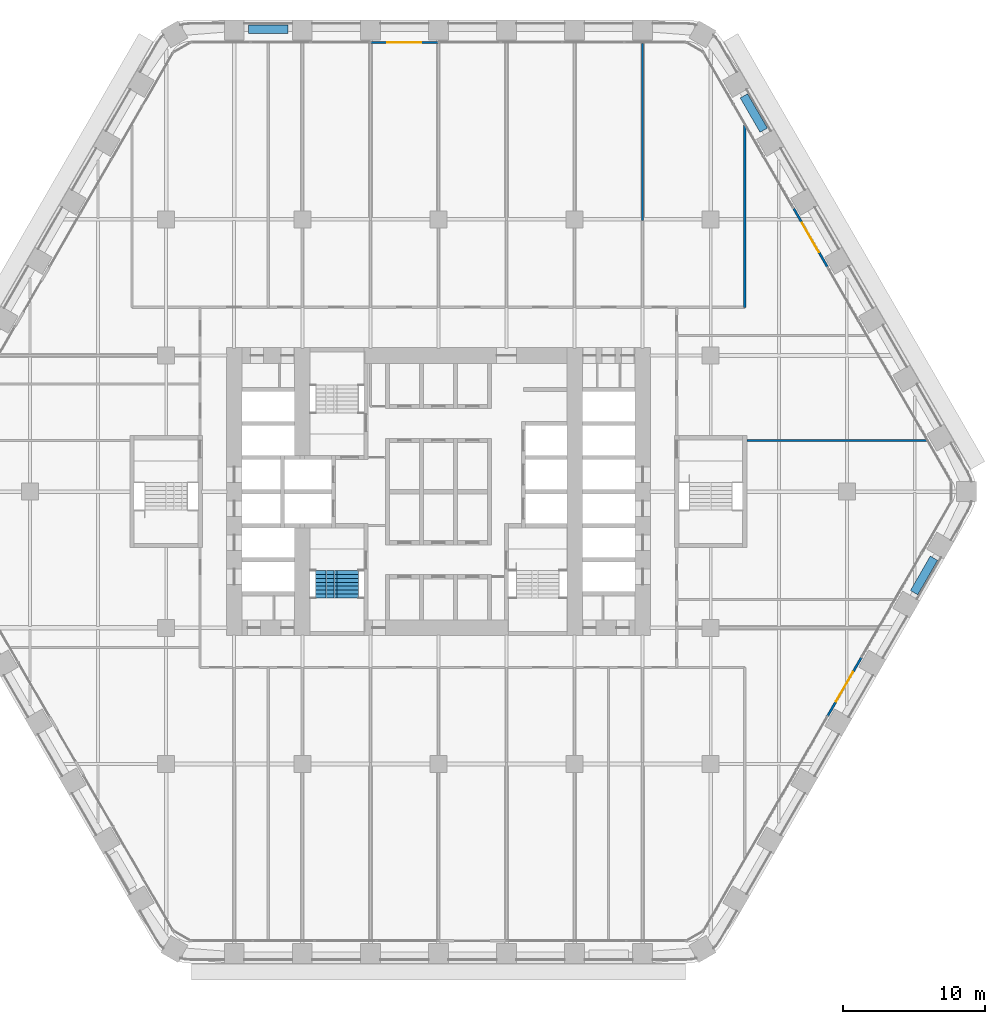
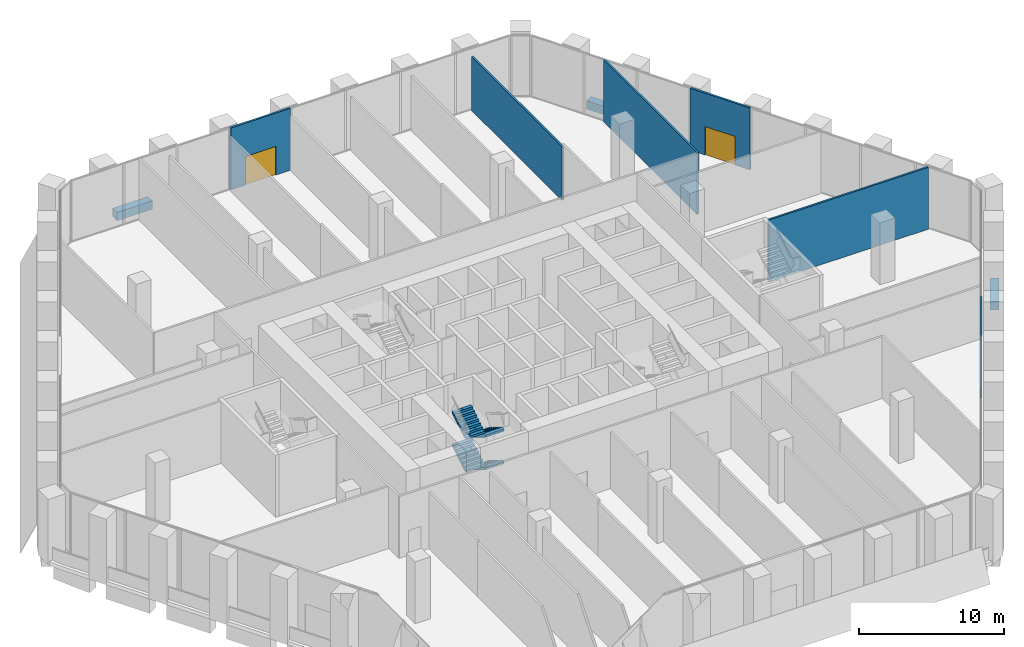
# One storey, part 22 of 27: 9 walls, 4 stair flights, 3 doors, 3 openings, 1 element without a shape of its own.
"""IFC4 building model written with IfcOpenShell, lengths in metres."""

from ifc_helpers import new_model, si_unit, direction, frame, frame_2d, origin, place, context, subcontext, project, spatial, polyline, rectangle, outline, extrude, material, layer, layer_set, type_object, element, fill, aggregate, save


model = new_model("IFC4")

# Units and contexts
model_context = context("Model", 3, precision=1e-05, world=origin(), true_north=direction((0.0, 1.0)))
body_context = subcontext(model_context, "Body", "Model", "MODEL_VIEW")
ifc_project = project(units=[si_unit("LENGTHUNIT", "METRE"), si_unit("AREAUNIT", "SQUARE_METRE"), si_unit("VOLUMEUNIT", "CUBIC_METRE"), si_unit("PLANEANGLEUNIT", "RADIAN"), si_unit("MASSUNIT", "GRAM", prefix="KILO")], contexts=[model_context])

# Site, building, storey
site_placement = place(None, origin())
site = spatial("IfcSite", under=ifc_project, at=site_placement, CompositionType="ELEMENT")
building_placement = place(site_placement, origin())
building = spatial("IfcBuilding", under=site, at=building_placement, Name="Kolab Exchange Tower", CompositionType="ELEMENT")
storey_placement = place(building_placement, frame((0.0, 0.0, 66.39990234375)))
storey = spatial("IfcBuildingStorey", under=building, at=storey_placement, Name="L12", CompositionType="ELEMENT", Elevation=66.39990234375)

# Wall, opening, door
ifc_material_1 = material(Name="Aluminium EN AW-6063 T6", Category="aluminium")
ifc_layer_1 = layer(ifc_material_1, 0.159912109375)
ifc_layer_set_1 = layer_set([ifc_layer_1], Name="Aluminium EN AW-6063 T6")
wall_type_1 = type_object("IfcWallType", Name="DOOR SURROUND WALL 160 ALUMINIUM FRAMED", PredefinedType="PARTITIONING", material=ifc_layer_set_1)
wall_1_placement = place(storey_placement, frame((-4.77001953125, 31.67529296875, 0.0), z_axis=(0.0, 0.0, 1.0), x_axis=(1.0, 0.0, 0.0)))
wall_1 = element("IfcWall", 1, at=wall_1_placement, inside=storey, type_object=wall_type_1, Name="Door surround wall", PredefinedType="PARTITIONING", context=body_context, shape_type="SweptSolid", body=[
    extrude(rectangle(XDim=4.739990234375, YDim=0.159912109375, at=frame_2d((2.3701171875, 0.0))), origin(), (0.0, 0.0, 1.0), 5.2001953125),
])
opening_1_placement = place(wall_1_placement, frame((1.169921875, 0.0, 0.0)))
opening_1 = element("IfcOpeningElement", 2, at=opening_1_placement, cuts=wall_1, Name="Opening GD1-023", PredefinedType="OPENING", context=body_context, shape_type="SweptSolid", body=[
    extrude(rectangle(XDim=2.39990234375, YDim=2.39990234375, at=frame_2d((1.199951171875, 1.199951171875))), frame((0.0, 0.08984375, 0.0), z_axis=(0.0, -1.0, 0.0), x_axis=(1.0, 0.0, 0.0)), (0.0, 0.0, 1.0), 0.179931640625),
])
door_type = type_object("IfcDoorType", Name="LOGGIA SLIDING GLASS DOOR 2400 X 2400", OperationType="DOUBLE_DOOR_SINGLE_SWING", PredefinedType="DOOR", material=ifc_material_1)
door_1_placement = place(opening_1_placement, origin())
door_1 = element("IfcDoor", 3, at=door_1_placement, inside=storey, type_object=door_type, Name="Loggia door", OperationType="DOUBLE_DOOR_SLIDING", OverallHeight=2.39990234375, OverallWidth=2.39990234375, PredefinedType="DOOR", context=body_context, shape_type="SweptSolid", body=[
    extrude(rectangle(XDim=2.39990234375, YDim=2.39990234375, at=frame_2d((1.199951171875, 1.199951171875))), frame((0.0, 0.02490234375, 0.0), z_axis=(0.0, -1.0, 0.0), x_axis=(1.0, 0.0, 0.0)), (0.0, 0.0, 1.0), 0.050048828125),
])
fill(opening_1, door_1)

wall_2_placement = place(storey_placement, frame((25.046630859375, 19.96875, 0.0), z_axis=(0.0, 0.0, 1.0), x_axis=(0.5000167099, -0.866015756104, 0.0)))
wall_2 = element("IfcWall", 4, at=wall_2_placement, inside=storey, type_object=wall_type_1, Name="Door surround wall", PredefinedType="PARTITIONING", context=body_context, shape_type="SweptSolid", body=[
    extrude(rectangle(XDim=4.739990234375, YDim=0.159912109375, at=frame_2d((2.3701171875, 0.0))), origin(), (0.0, 0.0, 1.0), 5.2001953125),
])
opening_2_placement = place(wall_2_placement, frame((1.169921875, 0.0, 0.0)))
opening_2 = element("IfcOpeningElement", 5, at=opening_2_placement, cuts=wall_2, Name="Opening GD1-024", PredefinedType="OPENING", context=body_context, shape_type="SweptSolid", body=[
    extrude(rectangle(XDim=2.39990234375, YDim=2.39990234375, at=frame_2d((1.199951171875, 1.199951171875))), frame((0.0, 0.08984375, 0.0), z_axis=(0.0, -1.0, 0.0), x_axis=(1.0, 0.0, 0.0)), (0.0, 0.0, 1.0), 0.179931640625),
])
door_2_placement = place(opening_2_placement, origin())
door_2 = element("IfcDoor", 6, at=door_2_placement, inside=storey, type_object=door_type, Name="Loggia door", OperationType="DOUBLE_DOOR_SLIDING", OverallHeight=2.39990234375, OverallWidth=2.39990234375, PredefinedType="DOOR", context=body_context, shape_type="SweptSolid", body=[
    extrude(rectangle(XDim=2.39990234375, YDim=2.39990234375, at=frame_2d((1.199951171875, 1.199951171875))), frame((0.0, 0.02490234375, 0.0), z_axis=(0.0, -1.0, 0.0), x_axis=(1.0, 0.0, 0.0)), (0.0, 0.0, 1.0), 0.050048828125),
])
fill(opening_2, door_2)

wall_3_placement = place(storey_placement, frame((29.816650390625, -11.706787109375, 0.0), z_axis=(0.0, 0.0, 1.0), x_axis=(-0.499978080042, -0.866038058908, 0.0)))
wall_3 = element("IfcWall", 7, at=wall_3_placement, inside=storey, type_object=wall_type_1, Name="Door surround wall", PredefinedType="PARTITIONING", context=body_context, shape_type="SweptSolid", body=[
    extrude(rectangle(XDim=4.739990234375, YDim=0.159912109375, at=frame_2d((2.3701171875, 0.0))), origin(), (0.0, 0.0, 1.0), 5.2001953125),
])
opening_3_placement = place(wall_3_placement, frame((1.169921875, 0.0, 0.0)))
opening_3 = element("IfcOpeningElement", 8, at=opening_3_placement, cuts=wall_3, Name="Opening GD1-025", PredefinedType="OPENING", context=body_context, shape_type="SweptSolid", body=[
    extrude(rectangle(XDim=2.39990234375, YDim=2.39990234375, at=frame_2d((1.199951171875, 1.199951171875))), frame((0.0, 0.08984375, 0.0), z_axis=(0.0, -1.0, 0.0), x_axis=(1.0, 0.0, 0.0)), (0.0, 0.0, 1.0), 0.179931640625),
])
door_3_placement = place(opening_3_placement, origin())
door_3 = element("IfcDoor", 9, at=door_3_placement, inside=storey, type_object=door_type, Name="Loggia door", OperationType="DOUBLE_DOOR_SLIDING", OverallHeight=2.39990234375, OverallWidth=2.39990234375, PredefinedType="DOOR", context=body_context, shape_type="SweptSolid", body=[
    extrude(rectangle(XDim=2.39990234375, YDim=2.39990234375, at=frame_2d((1.199951171875, 1.199951171875))), frame((0.0, 0.02490234375, 0.0), z_axis=(0.0, -1.0, 0.0), x_axis=(1.0, 0.0, 0.0)), (0.0, 0.0, 1.0), 0.050048828125),
])
fill(opening_3, door_3)

# Walls
ifc_material_2 = material(Name="Gypsum board", Category="gypsum")
ifc_layer_2 = layer(ifc_material_2, 0.14990234375)
ifc_layer_set_2 = layer_set([ifc_layer_2], Name="Gypsum board")
wall_type_2 = type_object("IfcWallType", Name="PARTITION 150 FIRE-RATED", PredefinedType="PARTITIONING", material=ifc_layer_set_2)
wall_4_placement = place(storey_placement, frame((21.60009765625, 13.0, 0.0), z_axis=(0.0, 0.0, 1.0), x_axis=(0.0, 1.0, 0.0)))
element("IfcWall", 10, at=wall_4_placement, inside=storey, type_object=wall_type_2, Name="Partition 001", PredefinedType="PARTITIONING", context=body_context, shape_type="SweptSolid", body=[
    extrude(rectangle(XDim=12.8583984375, YDim=0.14990234375, at=frame_2d((6.42919921875, 0.0))), origin(), (0.0, 0.0, 1.0), 5.2001953125),
])
wall_5_placement = place(storey_placement, frame((14.39990234375, 19.113037109375, 0.0), z_axis=(0.0, 0.0, 1.0), x_axis=(0.0, 1.0, 0.0)))
element("IfcWall", 11, at=wall_5_placement, inside=storey, type_object=wall_type_2, Name="Partition 005", PredefinedType="PARTITIONING", context=body_context, shape_type="SweptSolid", body=[
    extrude(rectangle(XDim=12.472412109375, YDim=0.14990234375, at=frame_2d((6.236328125, 0.0))), origin(), (0.0, 0.0, 1.0), 4.51611328125),
])
wall_6_placement = place(storey_placement, frame((21.75, 3.60009765625, 0.0), z_axis=(0.0, 0.0, 1.0), x_axis=(1.0, 0.0, 0.0)))
element("IfcWall", 12, at=wall_6_placement, inside=storey, type_object=wall_type_2, Name="Partition 042", PredefinedType="PARTITIONING", context=body_context, shape_type="SweptSolid", body=[
    extrude(rectangle(XDim=12.700927734375, YDim=0.14990234375, at=frame_2d((6.3505859375, 0.0))), origin(), (0.0, 0.0, 1.0), 5.2001953125),
])
ifc_material_3 = material(Name="Granite facing", Category="masonry")
ifc_layer_3 = layer(ifc_material_3, 0.0400390625)
ifc_material_4 = material(Name="Concrete C40/50 precast", Category="concrete")
ifc_layer_4 = layer(ifc_material_4, 0.56005859375)
ifc_layer_set_3 = layer_set([ifc_layer_3, ifc_layer_4], Name="Concrete C40/50 precast")
wall_type_3 = type_object("IfcWallType", Name="PLANTER BOX 600 X 700 SOIL DEPTH 550", PredefinedType="USERDEFINED", material=ifc_layer_set_3)
for number, where, z_axis, x_axis, name in (
    (13, (-13.39990234375, 32.60546875, 0.0), (0.0, 0.0, 1.0), (1.0, 0.0, 0.0), "Planter"),
    (14, (21.537109375, 27.907470703125, 0.0), (0.0, 0.0, 1.0), (0.49998411664, -0.866034573852, 0.0), "Planter"),
    (15, (34.93701171875, -4.697998046875, 0.0), (0.0, 0.0, 1.0), (-0.49998411664, -0.866034573852, 0.0), "Planter"),
):
    element("IfcWall", number, at=place(storey_placement, frame(where, z_axis=z_axis, x_axis=x_axis)), inside=storey, type_object=wall_type_3, Name=name, ObjectType="PLANTER", PredefinedType="USERDEFINED", context=body_context, shape_type="SweptSolid", body=[
        extrude(rectangle(XDim=2.7998046875, YDim=0.60009765625, at=frame_2d((1.39990234375, 0.0))), origin(), (0.0, 0.0, 1.0), 0.7001953125),
    ])

# Stair, stair flights
ifc_material_5 = material(Name="Concrete C50/60", Category="concrete")
stair_type = type_object("IfcStairType", Name="STAIR ST3 RISER 171.9", PredefinedType="DOUBLE_RETURN_STAIR", material=ifc_material_5)
stair_placement = place(storey_placement, origin())
stair = element("IfcStair", 16, at=stair_placement, inside=storey, type_object=stair_type, Name="Stair 3", PredefinedType="DOUBLE_RETURN_STAIR")
stair_flight_type = type_object("IfcStairFlightType", Name="STAIR FLIGHT 1500 RISER 171.9", PredefinedType="STRAIGHT", material=ifc_material_5)
stair_flight_1_placement = place(storey_placement, frame((-6.389892578125, -5.550048828125, 0.0), z_axis=(0.0, 0.0, 1.0), x_axis=(0.0, -1.0, 0.0)))
stair_flight_1 = element("IfcStairFlight", 17, at=stair_flight_1_placement, type_object=stair_flight_type, Name="ST3 flight 1", NumberOfRisers=8, NumberOfTreads=7, PredefinedType="STRAIGHT", RiserHeight=0.171875, TreadLength=0.28, context=body_context, shape_type="SweptSolid", body=[
    extrude(outline(polyline([(0.0, 0.0), (0.0, 0.171875), (0.280029296875, 0.171875), (0.280029296875, 0.34375), (0.56005859375, 0.34375), (0.56005859375, 0.515625), (0.840087890625, 0.515625), (0.840087890625, 0.6875), (1.1201171875, 0.6875), (1.1201171875, 0.859375), (1.39990234375, 0.859375), (1.39990234375, 1.03125), (1.679931640625, 1.03125), (1.679931640625, 1.203125), (1.9599609375, 1.203125), (1.9599609375, 1.375), (1.9599609375, 1.02734375), (0.28662109375, 0.0), (0.0, 0.0)])), frame((0.0, 0.75, 0.0), z_axis=(0.0, -1.0, 0.0), x_axis=(1.0, 0.0, 0.0)), (0.0, 0.0, 1.0), 0.185791015625),
    extrude(outline(polyline([(0.0, 0.0), (0.0, 0.171875), (0.280029296875, 0.171875), (0.280029296875, 0.34375), (0.56005859375, 0.34375), (0.56005859375, 0.515625), (0.840087890625, 0.515625), (0.840087890625, 0.6875), (1.1201171875, 0.6875), (1.1201171875, 0.859375), (1.39990234375, 0.859375), (1.39990234375, 1.03125), (1.679931640625, 1.03125), (1.679931640625, 1.203125), (1.9599609375, 1.203125), (1.9599609375, 1.375), (1.9599609375, 1.02734375), (0.28662109375, 0.0), (0.0, 0.0)])), frame((0.0, 0.562255859375, 0.0), z_axis=(0.0, -1.0, 0.0), x_axis=(1.0, 0.0, 0.0)), (0.0, 0.0, 1.0), 0.185791015625),
    extrude(outline(polyline([(0.0, 0.0), (0.0, 0.171875), (0.280029296875, 0.171875), (0.280029296875, 0.34375), (0.56005859375, 0.34375), (0.56005859375, 0.515625), (0.840087890625, 0.515625), (0.840087890625, 0.6875), (1.1201171875, 0.6875), (1.1201171875, 0.859375), (1.39990234375, 0.859375), (1.39990234375, 1.03125), (1.679931640625, 1.03125), (1.679931640625, 1.203125), (1.9599609375, 1.203125), (1.9599609375, 1.375), (1.9599609375, 1.02734375), (0.28662109375, 0.0), (0.0, 0.0)])), frame((0.0, 0.37451171875, 0.0), z_axis=(0.0, -1.0, 0.0), x_axis=(1.0, 0.0, 0.0)), (0.0, 0.0, 1.0), 0.185791015625),
    extrude(outline(polyline([(0.0, 0.0), (0.0, 0.171875), (0.280029296875, 0.171875), (0.280029296875, 0.34375), (0.56005859375, 0.34375), (0.56005859375, 0.515625), (0.840087890625, 0.515625), (0.840087890625, 0.6875), (1.1201171875, 0.6875), (1.1201171875, 0.859375), (1.39990234375, 0.859375), (1.39990234375, 1.03125), (1.679931640625, 1.03125), (1.679931640625, 1.203125), (1.9599609375, 1.203125), (1.9599609375, 1.375), (1.9599609375, 1.02734375), (0.28662109375, 0.0), (0.0, 0.0)])), frame((0.0, 0.186767578125, 0.0), z_axis=(0.0, -1.0, 0.0), x_axis=(1.0, 0.0, 0.0)), (0.0, 0.0, 1.0), 0.185791015625),
    extrude(outline(polyline([(0.0, 0.0), (0.0, 0.171875), (0.280029296875, 0.171875), (0.280029296875, 0.34375), (0.56005859375, 0.34375), (0.56005859375, 0.515625), (0.840087890625, 0.515625), (0.840087890625, 0.6875), (1.1201171875, 0.6875), (1.1201171875, 0.859375), (1.39990234375, 0.859375), (1.39990234375, 1.03125), (1.679931640625, 1.03125), (1.679931640625, 1.203125), (1.9599609375, 1.203125), (1.9599609375, 1.375), (1.9599609375, 1.02734375), (0.28662109375, 0.0), (0.0, 0.0)])), frame((0.0, -0.0009765625, 0.0), z_axis=(0.0, -1.0, 0.0), x_axis=(1.0, 0.0, 0.0)), (0.0, 0.0, 1.0), 0.185791015625),
    extrude(outline(polyline([(0.0, 0.0), (0.0, 0.171875), (0.280029296875, 0.171875), (0.280029296875, 0.34375), (0.56005859375, 0.34375), (0.56005859375, 0.515625), (0.840087890625, 0.515625), (0.840087890625, 0.6875), (1.1201171875, 0.6875), (1.1201171875, 0.859375), (1.39990234375, 0.859375), (1.39990234375, 1.03125), (1.679931640625, 1.03125), (1.679931640625, 1.203125), (1.9599609375, 1.203125), (1.9599609375, 1.375), (1.9599609375, 1.02734375), (0.28662109375, 0.0), (0.0, 0.0)])), frame((0.0, -0.188720703125, 0.0), z_axis=(0.0, -1.0, 0.0), x_axis=(1.0, 0.0, 0.0)), (0.0, 0.0, 1.0), 0.185791015625),
    extrude(outline(polyline([(0.0, 0.0), (0.0, 0.171875), (0.280029296875, 0.171875), (0.280029296875, 0.34375), (0.56005859375, 0.34375), (0.56005859375, 0.515625), (0.840087890625, 0.515625), (0.840087890625, 0.6875), (1.1201171875, 0.6875), (1.1201171875, 0.859375), (1.39990234375, 0.859375), (1.39990234375, 1.03125), (1.679931640625, 1.03125), (1.679931640625, 1.203125), (1.9599609375, 1.203125), (1.9599609375, 1.375), (1.9599609375, 1.02734375), (0.28662109375, 0.0), (0.0, 0.0)])), frame((0.0, -0.37646484375, 0.0), z_axis=(0.0, -1.0, 0.0), x_axis=(1.0, 0.0, 0.0)), (0.0, 0.0, 1.0), 0.185791015625),
    extrude(outline(polyline([(0.0, 0.0), (0.0, 0.171875), (0.280029296875, 0.171875), (0.280029296875, 0.34375), (0.56005859375, 0.34375), (0.56005859375, 0.515625), (0.840087890625, 0.515625), (0.840087890625, 0.6875), (1.1201171875, 0.6875), (1.1201171875, 0.859375), (1.39990234375, 0.859375), (1.39990234375, 1.03125), (1.679931640625, 1.03125), (1.679931640625, 1.203125), (1.9599609375, 1.203125), (1.9599609375, 1.375), (1.9599609375, 1.02734375), (0.28662109375, 0.0), (0.0, 0.0)])), frame((0.0, -0.564208984375, 0.0), z_axis=(0.0, -1.0, 0.0), x_axis=(1.0, 0.0, 0.0)), (0.0, 0.0, 1.0), 0.185791015625),
])
stair_flight_2_placement = place(storey_placement, frame((-7.909912109375, -7.510009765625, 1.375), z_axis=(0.0, 0.0, 1.0), x_axis=(0.0, 1.0, 0.0)))
stair_flight_2 = element("IfcStairFlight", 18, at=stair_flight_2_placement, type_object=stair_flight_type, Name="ST3 flight 2", NumberOfRisers=8, NumberOfTreads=7, PredefinedType="STRAIGHT", RiserHeight=0.171875, TreadLength=0.28, context=body_context, shape_type="SweptSolid", body=[
    extrude(outline(polyline([(0.0, 0.0), (0.0, 0.171875), (0.280029296875, 0.171875), (0.280029296875, 0.34375), (0.56005859375, 0.34375), (0.56005859375, 0.515625), (0.840087890625, 0.515625), (0.840087890625, 0.6875), (1.1201171875, 0.6875), (1.1201171875, 0.859375), (1.39990234375, 0.859375), (1.39990234375, 1.03125), (1.679931640625, 1.03125), (1.679931640625, 1.203125), (1.9599609375, 1.203125), (1.9599609375, 1.375), (1.9599609375, 1.02734375), (0.28662109375, 0.0), (0.0, 0.0)])), frame((0.0, 0.75, 0.0), z_axis=(0.0, -1.0, 0.0), x_axis=(1.0, 0.0, 0.0)), (0.0, 0.0, 1.0), 0.185791015625),
    extrude(outline(polyline([(0.0, 0.0), (0.0, 0.171875), (0.280029296875, 0.171875), (0.280029296875, 0.34375), (0.56005859375, 0.34375), (0.56005859375, 0.515625), (0.840087890625, 0.515625), (0.840087890625, 0.6875), (1.1201171875, 0.6875), (1.1201171875, 0.859375), (1.39990234375, 0.859375), (1.39990234375, 1.03125), (1.679931640625, 1.03125), (1.679931640625, 1.203125), (1.9599609375, 1.203125), (1.9599609375, 1.375), (1.9599609375, 1.02734375), (0.28662109375, 0.0), (0.0, 0.0)])), frame((0.0, 0.562255859375, 0.0), z_axis=(0.0, -1.0, 0.0), x_axis=(1.0, 0.0, 0.0)), (0.0, 0.0, 1.0), 0.185791015625),
    extrude(outline(polyline([(0.0, 0.0), (0.0, 0.171875), (0.280029296875, 0.171875), (0.280029296875, 0.34375), (0.56005859375, 0.34375), (0.56005859375, 0.515625), (0.840087890625, 0.515625), (0.840087890625, 0.6875), (1.1201171875, 0.6875), (1.1201171875, 0.859375), (1.39990234375, 0.859375), (1.39990234375, 1.03125), (1.679931640625, 1.03125), (1.679931640625, 1.203125), (1.9599609375, 1.203125), (1.9599609375, 1.375), (1.9599609375, 1.02734375), (0.28662109375, 0.0), (0.0, 0.0)])), frame((0.0, 0.37451171875, 0.0), z_axis=(0.0, -1.0, 0.0), x_axis=(1.0, 0.0, 0.0)), (0.0, 0.0, 1.0), 0.185791015625),
    extrude(outline(polyline([(0.0, 0.0), (0.0, 0.171875), (0.280029296875, 0.171875), (0.280029296875, 0.34375), (0.56005859375, 0.34375), (0.56005859375, 0.515625), (0.840087890625, 0.515625), (0.840087890625, 0.6875), (1.1201171875, 0.6875), (1.1201171875, 0.859375), (1.39990234375, 0.859375), (1.39990234375, 1.03125), (1.679931640625, 1.03125), (1.679931640625, 1.203125), (1.9599609375, 1.203125), (1.9599609375, 1.375), (1.9599609375, 1.02734375), (0.28662109375, 0.0), (0.0, 0.0)])), frame((0.0, 0.186767578125, 0.0), z_axis=(0.0, -1.0, 0.0), x_axis=(1.0, 0.0, 0.0)), (0.0, 0.0, 1.0), 0.185791015625),
    extrude(outline(polyline([(0.0, 0.0), (0.0, 0.171875), (0.280029296875, 0.171875), (0.280029296875, 0.34375), (0.56005859375, 0.34375), (0.56005859375, 0.515625), (0.840087890625, 0.515625), (0.840087890625, 0.6875), (1.1201171875, 0.6875), (1.1201171875, 0.859375), (1.39990234375, 0.859375), (1.39990234375, 1.03125), (1.679931640625, 1.03125), (1.679931640625, 1.203125), (1.9599609375, 1.203125), (1.9599609375, 1.375), (1.9599609375, 1.02734375), (0.28662109375, 0.0), (0.0, 0.0)])), frame((0.0, -0.0009765625, 0.0), z_axis=(0.0, -1.0, 0.0), x_axis=(1.0, 0.0, 0.0)), (0.0, 0.0, 1.0), 0.185791015625),
    extrude(outline(polyline([(0.0, 0.0), (0.0, 0.171875), (0.280029296875, 0.171875), (0.280029296875, 0.34375), (0.56005859375, 0.34375), (0.56005859375, 0.515625), (0.840087890625, 0.515625), (0.840087890625, 0.6875), (1.1201171875, 0.6875), (1.1201171875, 0.859375), (1.39990234375, 0.859375), (1.39990234375, 1.03125), (1.679931640625, 1.03125), (1.679931640625, 1.203125), (1.9599609375, 1.203125), (1.9599609375, 1.375), (1.9599609375, 1.02734375), (0.28662109375, 0.0), (0.0, 0.0)])), frame((0.0, -0.188720703125, 0.0), z_axis=(0.0, -1.0, 0.0), x_axis=(1.0, 0.0, 0.0)), (0.0, 0.0, 1.0), 0.185791015625),
    extrude(outline(polyline([(0.0, 0.0), (0.0, 0.171875), (0.280029296875, 0.171875), (0.280029296875, 0.34375), (0.56005859375, 0.34375), (0.56005859375, 0.515625), (0.840087890625, 0.515625), (0.840087890625, 0.6875), (1.1201171875, 0.6875), (1.1201171875, 0.859375), (1.39990234375, 0.859375), (1.39990234375, 1.03125), (1.679931640625, 1.03125), (1.679931640625, 1.203125), (1.9599609375, 1.203125), (1.9599609375, 1.375), (1.9599609375, 1.02734375), (0.28662109375, 0.0), (0.0, 0.0)])), frame((0.0, -0.37646484375, 0.0), z_axis=(0.0, -1.0, 0.0), x_axis=(1.0, 0.0, 0.0)), (0.0, 0.0, 1.0), 0.185791015625),
    extrude(outline(polyline([(0.0, 0.0), (0.0, 0.171875), (0.280029296875, 0.171875), (0.280029296875, 0.34375), (0.56005859375, 0.34375), (0.56005859375, 0.515625), (0.840087890625, 0.515625), (0.840087890625, 0.6875), (1.1201171875, 0.6875), (1.1201171875, 0.859375), (1.39990234375, 0.859375), (1.39990234375, 1.03125), (1.679931640625, 1.03125), (1.679931640625, 1.203125), (1.9599609375, 1.203125), (1.9599609375, 1.375), (1.9599609375, 1.02734375), (0.28662109375, 0.0), (0.0, 0.0)])), frame((0.0, -0.564208984375, 0.0), z_axis=(0.0, -1.0, 0.0), x_axis=(1.0, 0.0, 0.0)), (0.0, 0.0, 1.0), 0.185791015625),
])
stair_flight_3_placement = place(storey_placement, frame((-6.389892578125, -5.550048828125, 2.75), z_axis=(0.0, 0.0, 1.0), x_axis=(0.0, -1.0, 0.0)))
stair_flight_3 = element("IfcStairFlight", 19, at=stair_flight_3_placement, type_object=stair_flight_type, Name="ST3 flight 3", NumberOfRisers=8, NumberOfTreads=7, PredefinedType="STRAIGHT", RiserHeight=0.171875, TreadLength=0.28, context=body_context, shape_type="SweptSolid", body=[
    extrude(outline(polyline([(0.0, 0.0), (0.0, 0.171875), (0.280029296875, 0.171875), (0.280029296875, 0.34375), (0.56005859375, 0.34375), (0.56005859375, 0.515625), (0.840087890625, 0.515625), (0.840087890625, 0.6875), (1.1201171875, 0.6875), (1.1201171875, 0.859375), (1.39990234375, 0.859375), (1.39990234375, 1.03125), (1.679931640625, 1.03125), (1.679931640625, 1.203125), (1.9599609375, 1.203125), (1.9599609375, 1.375), (1.9599609375, 1.02734375), (0.28662109375, 0.0), (0.0, 0.0)])), frame((0.0, 0.75, 0.0), z_axis=(0.0, -1.0, 0.0), x_axis=(1.0, 0.0, 0.0)), (0.0, 0.0, 1.0), 0.185791015625),
    extrude(outline(polyline([(0.0, 0.0), (0.0, 0.171875), (0.280029296875, 0.171875), (0.280029296875, 0.34375), (0.56005859375, 0.34375), (0.56005859375, 0.515625), (0.840087890625, 0.515625), (0.840087890625, 0.6875), (1.1201171875, 0.6875), (1.1201171875, 0.859375), (1.39990234375, 0.859375), (1.39990234375, 1.03125), (1.679931640625, 1.03125), (1.679931640625, 1.203125), (1.9599609375, 1.203125), (1.9599609375, 1.375), (1.9599609375, 1.02734375), (0.28662109375, 0.0), (0.0, 0.0)])), frame((0.0, 0.562255859375, 0.0), z_axis=(0.0, -1.0, 0.0), x_axis=(1.0, 0.0, 0.0)), (0.0, 0.0, 1.0), 0.185791015625),
    extrude(outline(polyline([(0.0, 0.0), (0.0, 0.171875), (0.280029296875, 0.171875), (0.280029296875, 0.34375), (0.56005859375, 0.34375), (0.56005859375, 0.515625), (0.840087890625, 0.515625), (0.840087890625, 0.6875), (1.1201171875, 0.6875), (1.1201171875, 0.859375), (1.39990234375, 0.859375), (1.39990234375, 1.03125), (1.679931640625, 1.03125), (1.679931640625, 1.203125), (1.9599609375, 1.203125), (1.9599609375, 1.375), (1.9599609375, 1.02734375), (0.28662109375, 0.0), (0.0, 0.0)])), frame((0.0, 0.37451171875, 0.0), z_axis=(0.0, -1.0, 0.0), x_axis=(1.0, 0.0, 0.0)), (0.0, 0.0, 1.0), 0.185791015625),
    extrude(outline(polyline([(0.0, 0.0), (0.0, 0.171875), (0.280029296875, 0.171875), (0.280029296875, 0.34375), (0.56005859375, 0.34375), (0.56005859375, 0.515625), (0.840087890625, 0.515625), (0.840087890625, 0.6875), (1.1201171875, 0.6875), (1.1201171875, 0.859375), (1.39990234375, 0.859375), (1.39990234375, 1.03125), (1.679931640625, 1.03125), (1.679931640625, 1.203125), (1.9599609375, 1.203125), (1.9599609375, 1.375), (1.9599609375, 1.02734375), (0.28662109375, 0.0), (0.0, 0.0)])), frame((0.0, 0.186767578125, 0.0), z_axis=(0.0, -1.0, 0.0), x_axis=(1.0, 0.0, 0.0)), (0.0, 0.0, 1.0), 0.185791015625),
    extrude(outline(polyline([(0.0, 0.0), (0.0, 0.171875), (0.280029296875, 0.171875), (0.280029296875, 0.34375), (0.56005859375, 0.34375), (0.56005859375, 0.515625), (0.840087890625, 0.515625), (0.840087890625, 0.6875), (1.1201171875, 0.6875), (1.1201171875, 0.859375), (1.39990234375, 0.859375), (1.39990234375, 1.03125), (1.679931640625, 1.03125), (1.679931640625, 1.203125), (1.9599609375, 1.203125), (1.9599609375, 1.375), (1.9599609375, 1.02734375), (0.28662109375, 0.0), (0.0, 0.0)])), frame((0.0, -0.0009765625, 0.0), z_axis=(0.0, -1.0, 0.0), x_axis=(1.0, 0.0, 0.0)), (0.0, 0.0, 1.0), 0.185791015625),
    extrude(outline(polyline([(0.0, 0.0), (0.0, 0.171875), (0.280029296875, 0.171875), (0.280029296875, 0.34375), (0.56005859375, 0.34375), (0.56005859375, 0.515625), (0.840087890625, 0.515625), (0.840087890625, 0.6875), (1.1201171875, 0.6875), (1.1201171875, 0.859375), (1.39990234375, 0.859375), (1.39990234375, 1.03125), (1.679931640625, 1.03125), (1.679931640625, 1.203125), (1.9599609375, 1.203125), (1.9599609375, 1.375), (1.9599609375, 1.02734375), (0.28662109375, 0.0), (0.0, 0.0)])), frame((0.0, -0.188720703125, 0.0), z_axis=(0.0, -1.0, 0.0), x_axis=(1.0, 0.0, 0.0)), (0.0, 0.0, 1.0), 0.185791015625),
    extrude(outline(polyline([(0.0, 0.0), (0.0, 0.171875), (0.280029296875, 0.171875), (0.280029296875, 0.34375), (0.56005859375, 0.34375), (0.56005859375, 0.515625), (0.840087890625, 0.515625), (0.840087890625, 0.6875), (1.1201171875, 0.6875), (1.1201171875, 0.859375), (1.39990234375, 0.859375), (1.39990234375, 1.03125), (1.679931640625, 1.03125), (1.679931640625, 1.203125), (1.9599609375, 1.203125), (1.9599609375, 1.375), (1.9599609375, 1.02734375), (0.28662109375, 0.0), (0.0, 0.0)])), frame((0.0, -0.37646484375, 0.0), z_axis=(0.0, -1.0, 0.0), x_axis=(1.0, 0.0, 0.0)), (0.0, 0.0, 1.0), 0.185791015625),
    extrude(outline(polyline([(0.0, 0.0), (0.0, 0.171875), (0.280029296875, 0.171875), (0.280029296875, 0.34375), (0.56005859375, 0.34375), (0.56005859375, 0.515625), (0.840087890625, 0.515625), (0.840087890625, 0.6875), (1.1201171875, 0.6875), (1.1201171875, 0.859375), (1.39990234375, 0.859375), (1.39990234375, 1.03125), (1.679931640625, 1.03125), (1.679931640625, 1.203125), (1.9599609375, 1.203125), (1.9599609375, 1.375), (1.9599609375, 1.02734375), (0.28662109375, 0.0), (0.0, 0.0)])), frame((0.0, -0.564208984375, 0.0), z_axis=(0.0, -1.0, 0.0), x_axis=(1.0, 0.0, 0.0)), (0.0, 0.0, 1.0), 0.185791015625),
])
stair_flight_4_placement = place(storey_placement, frame((-7.909912109375, -7.510009765625, 4.125), z_axis=(0.0, 0.0, 1.0), x_axis=(0.0, 1.0, 0.0)))
stair_flight_4 = element("IfcStairFlight", 20, at=stair_flight_4_placement, type_object=stair_flight_type, Name="ST3 flight 4", NumberOfRisers=8, NumberOfTreads=7, PredefinedType="STRAIGHT", RiserHeight=0.171875, TreadLength=0.28, context=body_context, shape_type="SweptSolid", body=[
    extrude(outline(polyline([(0.0, 0.0), (0.0, 0.171875), (0.280029296875, 0.171875), (0.280029296875, 0.34375), (0.56005859375, 0.34375), (0.56005859375, 0.515625), (0.840087890625, 0.515625), (0.840087890625, 0.6875), (1.1201171875, 0.6875), (1.1201171875, 0.859375), (1.39990234375, 0.859375), (1.39990234375, 1.03125), (1.679931640625, 1.03125), (1.679931640625, 1.203125), (1.9599609375, 1.203125), (1.9599609375, 1.375), (1.9599609375, 1.02734375), (0.28662109375, 0.0), (0.0, 0.0)])), frame((0.0, 0.75, 0.0), z_axis=(0.0, -1.0, 0.0), x_axis=(1.0, 0.0, 0.0)), (0.0, 0.0, 1.0), 0.185791015625),
    extrude(outline(polyline([(0.0, 0.0), (0.0, 0.171875), (0.280029296875, 0.171875), (0.280029296875, 0.34375), (0.56005859375, 0.34375), (0.56005859375, 0.515625), (0.840087890625, 0.515625), (0.840087890625, 0.6875), (1.1201171875, 0.6875), (1.1201171875, 0.859375), (1.39990234375, 0.859375), (1.39990234375, 1.03125), (1.679931640625, 1.03125), (1.679931640625, 1.203125), (1.9599609375, 1.203125), (1.9599609375, 1.375), (1.9599609375, 1.02734375), (0.28662109375, 0.0), (0.0, 0.0)])), frame((0.0, 0.562255859375, 0.0), z_axis=(0.0, -1.0, 0.0), x_axis=(1.0, 0.0, 0.0)), (0.0, 0.0, 1.0), 0.185791015625),
    extrude(outline(polyline([(0.0, 0.0), (0.0, 0.171875), (0.280029296875, 0.171875), (0.280029296875, 0.34375), (0.56005859375, 0.34375), (0.56005859375, 0.515625), (0.840087890625, 0.515625), (0.840087890625, 0.6875), (1.1201171875, 0.6875), (1.1201171875, 0.859375), (1.39990234375, 0.859375), (1.39990234375, 1.03125), (1.679931640625, 1.03125), (1.679931640625, 1.203125), (1.9599609375, 1.203125), (1.9599609375, 1.375), (1.9599609375, 1.02734375), (0.28662109375, 0.0), (0.0, 0.0)])), frame((0.0, 0.37451171875, 0.0), z_axis=(0.0, -1.0, 0.0), x_axis=(1.0, 0.0, 0.0)), (0.0, 0.0, 1.0), 0.185791015625),
    extrude(outline(polyline([(0.0, 0.0), (0.0, 0.171875), (0.280029296875, 0.171875), (0.280029296875, 0.34375), (0.56005859375, 0.34375), (0.56005859375, 0.515625), (0.840087890625, 0.515625), (0.840087890625, 0.6875), (1.1201171875, 0.6875), (1.1201171875, 0.859375), (1.39990234375, 0.859375), (1.39990234375, 1.03125), (1.679931640625, 1.03125), (1.679931640625, 1.203125), (1.9599609375, 1.203125), (1.9599609375, 1.375), (1.9599609375, 1.02734375), (0.28662109375, 0.0), (0.0, 0.0)])), frame((0.0, 0.186767578125, 0.0), z_axis=(0.0, -1.0, 0.0), x_axis=(1.0, 0.0, 0.0)), (0.0, 0.0, 1.0), 0.185791015625),
    extrude(outline(polyline([(0.0, 0.0), (0.0, 0.171875), (0.280029296875, 0.171875), (0.280029296875, 0.34375), (0.56005859375, 0.34375), (0.56005859375, 0.515625), (0.840087890625, 0.515625), (0.840087890625, 0.6875), (1.1201171875, 0.6875), (1.1201171875, 0.859375), (1.39990234375, 0.859375), (1.39990234375, 1.03125), (1.679931640625, 1.03125), (1.679931640625, 1.203125), (1.9599609375, 1.203125), (1.9599609375, 1.375), (1.9599609375, 1.02734375), (0.28662109375, 0.0), (0.0, 0.0)])), frame((0.0, -0.0009765625, 0.0), z_axis=(0.0, -1.0, 0.0), x_axis=(1.0, 0.0, 0.0)), (0.0, 0.0, 1.0), 0.185791015625),
    extrude(outline(polyline([(0.0, 0.0), (0.0, 0.171875), (0.280029296875, 0.171875), (0.280029296875, 0.34375), (0.56005859375, 0.34375), (0.56005859375, 0.515625), (0.840087890625, 0.515625), (0.840087890625, 0.6875), (1.1201171875, 0.6875), (1.1201171875, 0.859375), (1.39990234375, 0.859375), (1.39990234375, 1.03125), (1.679931640625, 1.03125), (1.679931640625, 1.203125), (1.9599609375, 1.203125), (1.9599609375, 1.375), (1.9599609375, 1.02734375), (0.28662109375, 0.0), (0.0, 0.0)])), frame((0.0, -0.188720703125, 0.0), z_axis=(0.0, -1.0, 0.0), x_axis=(1.0, 0.0, 0.0)), (0.0, 0.0, 1.0), 0.185791015625),
    extrude(outline(polyline([(0.0, 0.0), (0.0, 0.171875), (0.280029296875, 0.171875), (0.280029296875, 0.34375), (0.56005859375, 0.34375), (0.56005859375, 0.515625), (0.840087890625, 0.515625), (0.840087890625, 0.6875), (1.1201171875, 0.6875), (1.1201171875, 0.859375), (1.39990234375, 0.859375), (1.39990234375, 1.03125), (1.679931640625, 1.03125), (1.679931640625, 1.203125), (1.9599609375, 1.203125), (1.9599609375, 1.375), (1.9599609375, 1.02734375), (0.28662109375, 0.0), (0.0, 0.0)])), frame((0.0, -0.37646484375, 0.0), z_axis=(0.0, -1.0, 0.0), x_axis=(1.0, 0.0, 0.0)), (0.0, 0.0, 1.0), 0.185791015625),
    extrude(outline(polyline([(0.0, 0.0), (0.0, 0.171875), (0.280029296875, 0.171875), (0.280029296875, 0.34375), (0.56005859375, 0.34375), (0.56005859375, 0.515625), (0.840087890625, 0.515625), (0.840087890625, 0.6875), (1.1201171875, 0.6875), (1.1201171875, 0.859375), (1.39990234375, 0.859375), (1.39990234375, 1.03125), (1.679931640625, 1.03125), (1.679931640625, 1.203125), (1.9599609375, 1.203125), (1.9599609375, 1.375), (1.9599609375, 1.02734375), (0.28662109375, 0.0), (0.0, 0.0)])), frame((0.0, -0.564208984375, 0.0), z_axis=(0.0, -1.0, 0.0), x_axis=(1.0, 0.0, 0.0)), (0.0, 0.0, 1.0), 0.185791015625),
])
aggregate(stair, [stair_flight_1, stair_flight_2, stair_flight_3, stair_flight_4])

save(model, "model.ifc")
